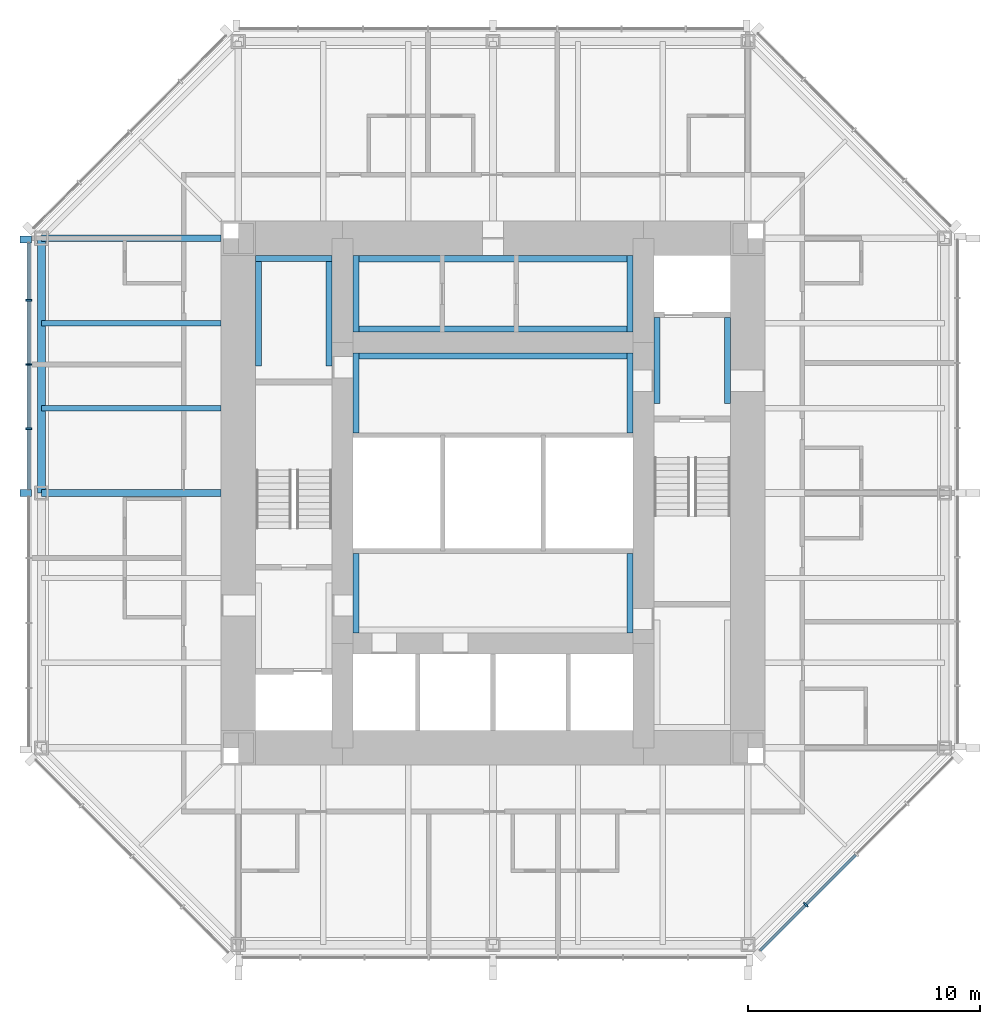
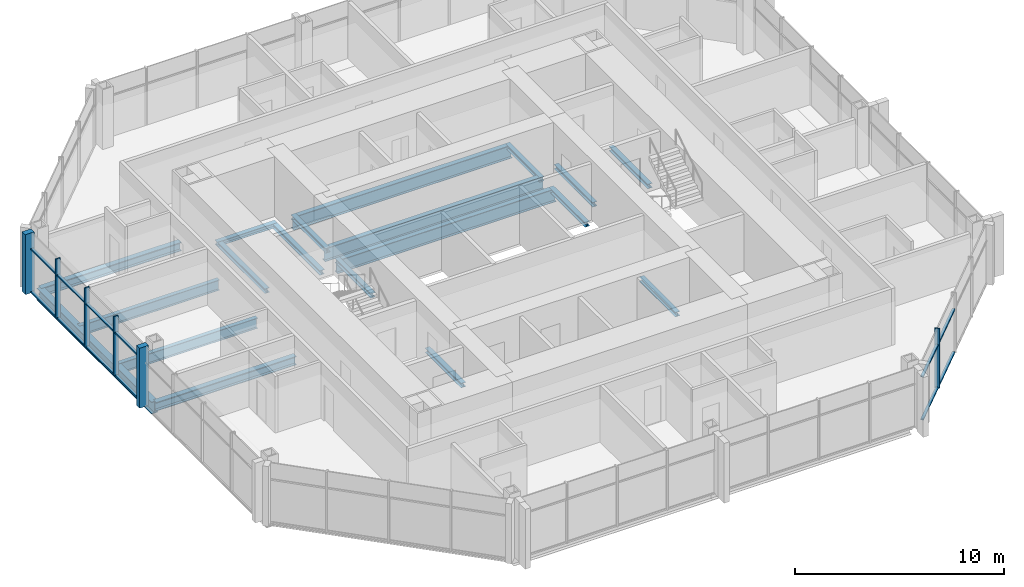
# One storey, part 3 of 11: 19 beams, 18 members, 2 elements without a shape of their own.
"""IFC4 building model written with IfcOpenShell, lengths in metres."""

from ifc_helpers import new_model, si_unit, direction, frame, origin, origin_2d, place, context, subcontext, project, spatial, rectangle, i_section, extrude, material, material_profile, profile_set, type_object, element, aggregate, save


model = new_model("IFC4")

# Units and contexts
model_context = context("Model", 3, precision=1e-05, world=origin(), true_north=direction((0.0, 1.0)))
body_context = subcontext(model_context, "Body", "Model", "MODEL_VIEW")
ifc_project = project(units=[si_unit("LENGTHUNIT", "METRE"), si_unit("AREAUNIT", "SQUARE_METRE"), si_unit("VOLUMEUNIT", "CUBIC_METRE"), si_unit("PLANEANGLEUNIT", "RADIAN"), si_unit("MASSUNIT", "GRAM", prefix="KILO")], contexts=[model_context])

# Site, building, storey
site_placement = place(None, origin())
site = spatial("IfcSite", under=ifc_project, at=site_placement, CompositionType="ELEMENT")
building_placement = place(site_placement, origin())
building = spatial("IfcBuilding", under=site, at=building_placement, Name="Trevanion Tower", CompositionType="ELEMENT")
storey_placement = place(building_placement, frame((0.0, 0.0, 215.199951171875)))
storey = spatial("IfcBuildingStorey", under=building, at=storey_placement, Name="L51", CompositionType="ELEMENT", Elevation=215.199951171875)

# Beams
ifc_material_1 = material(Name="Steel ASTM A992 Grade 50", Category="steel")
ifc_material_profile_1 = material_profile(ifc_material_1, i_section(OverallWidth=0.228271484375, OverallDepth=0.607177734375, WebThickness=0.01123046875, FlangeThickness=0.017333984375, at=origin_2d()), Name="W24X76")
ifc_profile_set_1 = profile_set([ifc_material_profile_1], Name="Steel ASTM A992 Grade 50")
beam_type_1 = type_object("IfcBeamType", Name="B11 W24X76", PredefinedType="BEAM", material=ifc_profile_set_1)
for number, where, z_axis, x_axis, name in (
    (1, (-11.75, 7.333251953125, -0.493408203125), (-1.0, 0.0, 0.0), (0.0, -1.0, 0.0), "B11 L51"),
    (2, (-11.75, 3.666748046875, -0.493408203125), (-1.0, 0.0, 0.0), (0.0, -1.0, 0.0), "B11 L51"),
):
    element("IfcBeam", number, at=place(storey_placement, frame(where, z_axis=z_axis, x_axis=x_axis)), inside=storey, type_object=beam_type_1, Name=name, PredefinedType="BEAM", context=body_context, shape_type="SweptSolid", body=[
        extrude(i_section(OverallWidth=0.228271484375, OverallDepth=0.607177734375, WebThickness=0.01123046875, FlangeThickness=0.017333984375, at=origin_2d()), origin(), (0.0, 0.0, 1.0), 7.75),
    ])

# Curtain wall, members
ifc_material_2 = material(Name="Aluminium and glass", Category="aluminium")
curtain_wall_type = type_object("IfcCurtainWallType", Name="CW3 curtain wall", PredefinedType="USERDEFINED", material=ifc_material_2)
curtain_wall_1_placement = place(storey_placement, origin())
curtain_wall_1 = element("IfcCurtainWall", 3, at=curtain_wall_1_placement, inside=storey, type_object=curtain_wall_type, Name="CW3 L51 4", ObjectType="UNITISED CURTAIN WALL", PredefinedType="USERDEFINED")
ifc_material_3 = material(Name="Aluminium extrusion, anodised bronze", Category="aluminium")
ifc_material_profile_2 = material_profile(ifc_material_3, rectangle(XDim=0.074951171875, YDim=0.25, at=origin_2d()), Name="CW3 mullion")
ifc_profile_set_2 = profile_set([ifc_material_profile_2], Name="Aluminium extrusion, anodised bronze")
member_type_1 = type_object("IfcMemberType", Name="CW3 mullion", PredefinedType="MULLION", material=ifc_profile_set_2)
member_1_placement = place(storey_placement, frame((-20.050048828125, 8.323486328125, -0.18994140625), z_axis=(0.0, 0.0, 1.0), x_axis=(0.0, -1.0, 0.0)))
member_1 = element("IfcMember", 4, at=member_1_placement, type_object=member_type_1, Name="CW3 mullion 2", PredefinedType="MULLION", context=body_context, shape_type="SweptSolid", body=[
    extrude(rectangle(XDim=0.074951171875, YDim=0.25, at=origin_2d()), origin(), (0.0, 0.0, 1.0), 3.5),
])
member_2_placement = place(storey_placement, frame((-20.050048828125, 5.548828125, -0.18994140625), z_axis=(0.0, 0.0, 1.0), x_axis=(0.0, -1.0, 0.0)))
member_2 = element("IfcMember", 5, at=member_2_placement, type_object=member_type_1, Name="CW3 mullion 3", PredefinedType="MULLION", context=body_context, shape_type="SweptSolid", body=[
    extrude(rectangle(XDim=0.074951171875, YDim=0.25, at=origin_2d()), origin(), (0.0, 0.0, 1.0), 3.5),
])
member_3_placement = place(storey_placement, frame((-20.050048828125, 2.7744140625, -0.18994140625), z_axis=(0.0, 0.0, 1.0), x_axis=(0.0, -1.0, 0.0)))
member_3 = element("IfcMember", 6, at=member_3_placement, type_object=member_type_1, Name="CW3 mullion 4", PredefinedType="MULLION", context=body_context, shape_type="SweptSolid", body=[
    extrude(rectangle(XDim=0.074951171875, YDim=0.25, at=origin_2d()), origin(), (0.0, 0.0, 1.0), 3.5),
])

# Curtain wall, member
curtain_wall_2_placement = place(storey_placement, origin())
curtain_wall_2 = element("IfcCurtainWall", 7, at=curtain_wall_2_placement, inside=storey, type_object=curtain_wall_type, Name="CW3 L51 7", ObjectType="UNITISED CURTAIN WALL", PredefinedType="USERDEFINED")
member_4_placement = place(storey_placement, frame((13.502197265625, -17.775390625, -0.18994140625), z_axis=(0.0, 0.0, 1.0), x_axis=(0.707106781187, 0.707106781187, 0.0)))
member_4 = element("IfcMember", 8, at=member_4_placement, type_object=member_type_1, Name="CW3 mullion 2", PredefinedType="MULLION", context=body_context, shape_type="SweptSolid", body=[
    extrude(rectangle(XDim=0.074951171875, YDim=0.25, at=origin_2d()), origin(), (0.0, 0.0, 1.0), 3.5),
])

# Member
ifc_material_4 = material(Name="Aluminium extrusion, anodised bronze", Category="aluminium")
ifc_material_profile_3 = material_profile(ifc_material_4, rectangle(XDim=0.300048828125, YDim=0.5, at=origin_2d()), Name="CW3 pier mullion")
ifc_profile_set_3 = profile_set([ifc_material_profile_3], Name="Aluminium extrusion, anodised bronze")
member_type_2 = type_object("IfcMemberType", Name="CW3 pier mullion", PredefinedType="MULLION", material=ifc_profile_set_3)
member_5_placement = place(storey_placement, frame((-20.175048828125, 10.94775390625, -0.18994140625), z_axis=(0.0, 0.0, 1.0), x_axis=(0.0, -1.0, 0.0)))
member_5 = element("IfcMember", 9, at=member_5_placement, type_object=member_type_2, Name="CW3 pier mullion 1", PredefinedType="MULLION", context=body_context, shape_type="SweptSolid", body=[
    extrude(rectangle(XDim=0.300048828125, YDim=0.5, at=origin_2d()), origin(), (0.0, 0.0, 1.0), 3.5),
])

member_6_placement = place(storey_placement, frame((-20.175048828125, 0.0, -0.18994140625), z_axis=(0.0, 0.0, 1.0), x_axis=(0.0, -1.0, 0.0)))
member_6 = element("IfcMember", 10, at=member_6_placement, type_object=member_type_2, Name="CW3 pier mullion 5", PredefinedType="MULLION", context=body_context, shape_type="SweptSolid", body=[
    extrude(rectangle(XDim=0.300048828125, YDim=0.5, at=origin_2d()), origin(), (0.0, 0.0, 1.0), 3.5),
])

ifc_material_5 = material(Name="Aluminium extrusion, anodised bronze", Category="aluminium")
ifc_material_profile_4 = material_profile(ifc_material_5, rectangle(XDim=0.14990234375, YDim=0.074951171875, at=origin_2d()), Name="CW3 transom")
ifc_profile_set_4 = profile_set([ifc_material_profile_4], Name="Aluminium extrusion, anodised bronze")
member_type_3 = type_object("IfcMemberType", Name="CW3 transom", PredefinedType="USERDEFINED", material=ifc_profile_set_4)
member_7_placement = place(storey_placement, frame((-20.050048828125, 10.7978515625, -0.15234375), z_axis=(0.0, -1.0, 0.0), x_axis=(1.0, 0.0, 0.0)))
member_7 = element("IfcMember", 11, at=member_7_placement, type_object=member_type_3, Name="CW3 transom 1.1", ObjectType="TRANSOM", PredefinedType="USERDEFINED", context=body_context, shape_type="SweptSolid", body=[
    extrude(rectangle(XDim=0.14990234375, YDim=0.074951171875, at=origin_2d()), origin(), (0.0, 0.0, 1.0), 2.43701171875),
])

member_8_placement = place(storey_placement, frame((-20.050048828125, 10.7978515625, 2.360107421875), z_axis=(0.0, -1.0, 0.0), x_axis=(1.0, 0.0, 0.0)))
member_8 = element("IfcMember", 12, at=member_8_placement, type_object=member_type_3, Name="CW3 transom 1.2", ObjectType="TRANSOM", PredefinedType="USERDEFINED", context=body_context, shape_type="SweptSolid", body=[
    extrude(rectangle(XDim=0.14990234375, YDim=0.074951171875, at=origin_2d()), origin(), (0.0, 0.0, 1.0), 2.43701171875),
])

member_9_placement = place(storey_placement, frame((-20.050048828125, 8.285888671875, -0.15234375), z_axis=(0.0, -1.0, 0.0), x_axis=(1.0, 0.0, 0.0)))
member_9 = element("IfcMember", 13, at=member_9_placement, type_object=member_type_3, Name="CW3 transom 2.1", ObjectType="TRANSOM", PredefinedType="USERDEFINED", context=body_context, shape_type="SweptSolid", body=[
    extrude(rectangle(XDim=0.14990234375, YDim=0.074951171875, at=origin_2d()), origin(), (0.0, 0.0, 1.0), 2.699462890625),
])

member_10_placement = place(storey_placement, frame((-20.050048828125, 8.285888671875, 2.360107421875), z_axis=(0.0, -1.0, 0.0), x_axis=(1.0, 0.0, 0.0)))
member_10 = element("IfcMember", 14, at=member_10_placement, type_object=member_type_3, Name="CW3 transom 2.2", ObjectType="TRANSOM", PredefinedType="USERDEFINED", context=body_context, shape_type="SweptSolid", body=[
    extrude(rectangle(XDim=0.14990234375, YDim=0.074951171875, at=origin_2d()), origin(), (0.0, 0.0, 1.0), 2.699462890625),
])

member_11_placement = place(storey_placement, frame((-20.050048828125, 5.511474609375, -0.15234375), z_axis=(0.0, -1.0, 0.0), x_axis=(1.0, 0.0, 0.0)))
member_11 = element("IfcMember", 15, at=member_11_placement, type_object=member_type_3, Name="CW3 transom 3.1", ObjectType="TRANSOM", PredefinedType="USERDEFINED", context=body_context, shape_type="SweptSolid", body=[
    extrude(rectangle(XDim=0.14990234375, YDim=0.074951171875, at=origin_2d()), origin(), (0.0, 0.0, 1.0), 2.699462890625),
])

member_12_placement = place(storey_placement, frame((-20.050048828125, 5.511474609375, 2.360107421875), z_axis=(0.0, -1.0, 0.0), x_axis=(1.0, 0.0, 0.0)))
member_12 = element("IfcMember", 16, at=member_12_placement, type_object=member_type_3, Name="CW3 transom 3.2", ObjectType="TRANSOM", PredefinedType="USERDEFINED", context=body_context, shape_type="SweptSolid", body=[
    extrude(rectangle(XDim=0.14990234375, YDim=0.074951171875, at=origin_2d()), origin(), (0.0, 0.0, 1.0), 2.699462890625),
])

member_13_placement = place(storey_placement, frame((-20.050048828125, 2.737060546875, -0.15234375), z_axis=(0.0, -1.0, 0.0), x_axis=(1.0, 0.0, 0.0)))
member_13 = element("IfcMember", 17, at=member_13_placement, type_object=member_type_3, Name="CW3 transom 4.1", ObjectType="TRANSOM", PredefinedType="USERDEFINED", context=body_context, shape_type="SweptSolid", body=[
    extrude(rectangle(XDim=0.14990234375, YDim=0.074951171875, at=origin_2d()), origin(), (0.0, 0.0, 1.0), 2.587158203125),
])

member_14_placement = place(storey_placement, frame((-20.050048828125, 2.737060546875, 2.360107421875), z_axis=(0.0, -1.0, 0.0), x_axis=(1.0, 0.0, 0.0)))
member_14 = element("IfcMember", 18, at=member_14_placement, type_object=member_type_3, Name="CW3 transom 4.2", ObjectType="TRANSOM", PredefinedType="USERDEFINED", context=body_context, shape_type="SweptSolid", body=[
    extrude(rectangle(XDim=0.14990234375, YDim=0.074951171875, at=origin_2d()), origin(), (0.0, 0.0, 1.0), 2.587158203125),
])

aggregate(curtain_wall_1, [member_5, member_1, member_2, member_3, member_6, member_7, member_8, member_9, member_10, member_11, member_12, member_13, member_14])

member_15_placement = place(storey_placement, frame((11.531982421875, -19.745849609375, -0.15234375), z_axis=(0.707106781187, 0.707106781187, 0.0), x_axis=(-0.707106781187, 0.707106781187, 0.0)))
member_15 = element("IfcMember", 19, at=member_15_placement, type_object=member_type_3, Name="CW3 transom 1.1", ObjectType="TRANSOM", PredefinedType="USERDEFINED", context=body_context, shape_type="SweptSolid", body=[
    extrude(rectangle(XDim=0.14990234375, YDim=0.074951171875, at=origin_2d()), origin(), (0.0, 0.0, 1.0), 2.7490234375),
])

member_16_placement = place(storey_placement, frame((11.531982421875, -19.745849609375, 2.360107421875), z_axis=(0.707106781187, 0.707106781187, 0.0), x_axis=(-0.707106781187, 0.707106781187, 0.0)))
member_16 = element("IfcMember", 20, at=member_16_placement, type_object=member_type_3, Name="CW3 transom 1.2", ObjectType="TRANSOM", PredefinedType="USERDEFINED", context=body_context, shape_type="SweptSolid", body=[
    extrude(rectangle(XDim=0.14990234375, YDim=0.074951171875, at=origin_2d()), origin(), (0.0, 0.0, 1.0), 2.7490234375),
])

member_17_placement = place(storey_placement, frame((13.52880859375, -17.7490234375, -0.15234375), z_axis=(0.707106781187, 0.707106781187, 0.0), x_axis=(-0.707106781187, 0.707106781187, 0.0)))
member_17 = element("IfcMember", 21, at=member_17_placement, type_object=member_type_3, Name="CW3 transom 2.1", ObjectType="TRANSOM", PredefinedType="USERDEFINED", context=body_context, shape_type="SweptSolid", body=[
    extrude(rectangle(XDim=0.14990234375, YDim=0.074951171875, at=origin_2d()), origin(), (0.0, 0.0, 1.0), 3.01171875),
])

member_18_placement = place(storey_placement, frame((13.52880859375, -17.7490234375, 2.360107421875), z_axis=(0.707106781187, 0.707106781187, 0.0), x_axis=(-0.707106781187, 0.707106781187, 0.0)))
member_18 = element("IfcMember", 22, at=member_18_placement, type_object=member_type_3, Name="CW3 transom 2.2", ObjectType="TRANSOM", PredefinedType="USERDEFINED", context=body_context, shape_type="SweptSolid", body=[
    extrude(rectangle(XDim=0.14990234375, YDim=0.074951171875, at=origin_2d()), origin(), (0.0, 0.0, 1.0), 3.01171875),
])

aggregate(curtain_wall_2, [member_4, member_15, member_16, member_17, member_18])

# Beams
ifc_material_6 = material(Name="Steel ASTM A992 Grade 50", Category="steel")
ifc_material_profile_5 = material_profile(ifc_material_6, i_section(OverallWidth=0.28955078125, OverallDepth=0.508056640625, WebThickness=0.022705078125, FlangeThickness=0.040283203125, at=origin_2d()), Name="W18X175")
ifc_profile_set_5 = profile_set([ifc_material_profile_5], Name="Steel ASTM A992 Grade 50")
beam_type_2 = type_object("IfcBeamType", Name="G6 W18X175", PredefinedType="BEAM", material=ifc_profile_set_5)
for number, where, z_axis, x_axis, name in (
    (23, (-11.75, 11.0, -0.44384765625), (-1.0, 0.0, 0.0), (0.0, -1.0, 0.0), "G6 L51"),
    (24, (-11.75, 0.0, -0.44384765625), (-1.0, 0.0, 0.0), (0.0, -1.0, 0.0), "G6 L51"),
):
    element("IfcBeam", number, at=place(storey_placement, frame(where, z_axis=z_axis, x_axis=x_axis)), inside=storey, type_object=beam_type_2, Name=name, PredefinedType="BEAM", context=body_context, shape_type="SweptSolid", body=[
        extrude(i_section(OverallWidth=0.28955078125, OverallDepth=0.508056640625, WebThickness=0.022705078125, FlangeThickness=0.040283203125, at=origin_2d()), origin(), (0.0, 0.0, 1.0), 7.75),
    ])
ifc_material_7 = material(Name="Steel ASTM A992 Grade 50", Category="steel")
ifc_material_profile_6 = material_profile(ifc_material_7, i_section(OverallWidth=0.256591796875, OverallDepth=0.26416015625, WebThickness=0.011962890625, FlangeThickness=0.01953125, at=origin_2d()), Name="W10X68")
ifc_profile_set_6 = profile_set([ifc_material_profile_6], Name="Steel ASTM A992 Grade 50")
beam_type_3 = type_object("IfcBeamType", Name="LB1 W10X68", PredefinedType="BEAM", material=ifc_profile_set_6)
for number, where, z_axis, x_axis, name in (
    (25, (-5.921630859375, 2.60009765625, -0.33203125), (0.0, 1.0, 0.0), (-1.0, 0.0, 0.0), "LB1 L51"),
    (26, (5.921630859375, 2.60009765625, -0.33203125), (0.0, 1.0, 0.0), (-1.0, 0.0, 0.0), "LB1 L51"),
    (27, (-5.921630859375, -6.050048828125, -0.33203125), (0.0, 1.0, 0.0), (-1.0, 0.0, 0.0), "LB1 L51"),
    (28, (5.921630859375, -6.050048828125, -0.33203125), (0.0, 1.0, 0.0), (-1.0, 0.0, 0.0), "LB1 L51"),
):
    element("IfcBeam", number, at=place(storey_placement, frame(where, z_axis=z_axis, x_axis=x_axis)), inside=storey, type_object=beam_type_3, Name=name, PredefinedType="BEAM", context=body_context, shape_type="SweptSolid", body=[
        extrude(i_section(OverallWidth=0.256591796875, OverallDepth=0.26416015625, WebThickness=0.011962890625, FlangeThickness=0.01953125, at=origin_2d()), origin(), (0.0, 0.0, 1.0), 3.449951171875),
    ])
for number, where, z_axis, x_axis, name in (
    (29, (7.078369140625, 3.875, -0.33203125), (0.0, 1.0, 0.0), (-1.0, 0.0, 0.0), "LB1 L51"),
    (30, (10.12158203125, 3.875, -0.33203125), (0.0, 1.0, 0.0), (-1.0, 0.0, 0.0), "LB1 L51"),
):
    element("IfcBeam", number, at=place(storey_placement, frame(where, z_axis=z_axis, x_axis=x_axis)), inside=storey, type_object=beam_type_3, Name=name, PredefinedType="BEAM", context=body_context, shape_type="SweptSolid", body=[
        extrude(i_section(OverallWidth=0.256591796875, OverallDepth=0.26416015625, WebThickness=0.011962890625, FlangeThickness=0.01953125, at=origin_2d()), origin(), (0.0, 0.0, 1.0), 3.699951171875),
    ])
for number, where, z_axis, x_axis, name in (
    (31, (-10.12158203125, 5.47509765625, -0.33203125), (0.0, 1.0, 0.0), (-1.0, 0.0, 0.0), "LB1 L51"),
    (32, (-7.078369140625, 5.47509765625, -0.33203125), (0.0, 1.0, 0.0), (-1.0, 0.0, 0.0), "LB1 L51"),
):
    element("IfcBeam", number, at=place(storey_placement, frame(where, z_axis=z_axis, x_axis=x_axis)), inside=storey, type_object=beam_type_3, Name=name, PredefinedType="BEAM", context=body_context, shape_type="SweptSolid", body=[
        extrude(i_section(OverallWidth=0.256591796875, OverallDepth=0.26416015625, WebThickness=0.011962890625, FlangeThickness=0.01953125, at=origin_2d()), origin(), (0.0, 0.0, 1.0), 4.77490234375),
    ])
for number, where, z_axis, x_axis, name in (
    (33, (-10.25, 10.12158203125, -0.33203125), (1.0, 0.0, 0.0), (0.0, 1.0, 0.0), "LB1 L51"),
    (34, (-5.921630859375, 6.949951171875, -0.33203125), (0.0, 1.0, 0.0), (-1.0, 0.0, 0.0), "LB1 L51"),
    (35, (5.921630859375, 6.949951171875, -0.33203125), (0.0, 1.0, 0.0), (-1.0, 0.0, 0.0), "LB1 L51"),
):
    element("IfcBeam", number, at=place(storey_placement, frame(where, z_axis=z_axis, x_axis=x_axis)), inside=storey, type_object=beam_type_3, Name=name, PredefinedType="BEAM", context=body_context, shape_type="SweptSolid", body=[
        extrude(i_section(OverallWidth=0.256591796875, OverallDepth=0.26416015625, WebThickness=0.011962890625, FlangeThickness=0.01953125, at=origin_2d()), origin(), (0.0, 0.0, 1.0), 3.300048828125),
    ])
ifc_material_8 = material(Name="Steel ASTM A992 Grade 50", Category="steel")
ifc_material_profile_7 = material_profile(ifc_material_8, i_section(OverallWidth=0.2666015625, OverallDepth=0.76953125, WebThickness=0.015625, FlangeThickness=0.025390625, at=origin_2d()), Name="W30X132")
ifc_profile_set_7 = profile_set([ifc_material_profile_7], Name="Steel ASTM A992 Grade 50")
beam_type_4 = type_object("IfcBeamType", Name="LB3 W30X132", PredefinedType="BEAM", material=ifc_profile_set_7)
for number, where, z_axis, x_axis, name in (
    (36, (-6.050048828125, 5.91650390625, -0.584716796875), (1.0, 0.0, 0.0), (0.0, 1.0, 0.0), "LB3 L51"),
    (37, (-6.050048828125, 7.08349609375, -0.584716796875), (1.0, 0.0, 0.0), (0.0, 1.0, 0.0), "LB3 L51"),
    (38, (-6.050048828125, 10.11669921875, -0.584716796875), (1.0, 0.0, 0.0), (0.0, 1.0, 0.0), "LB3 L51"),
):
    element("IfcBeam", number, at=place(storey_placement, frame(where, z_axis=z_axis, x_axis=x_axis)), inside=storey, type_object=beam_type_4, Name=name, PredefinedType="BEAM", context=body_context, shape_type="SweptSolid", body=[
        extrude(i_section(OverallWidth=0.2666015625, OverallDepth=0.76953125, WebThickness=0.015625, FlangeThickness=0.025390625, at=origin_2d()), origin(), (0.0, 0.0, 1.0), 12.10009765625),
    ])
ifc_material_9 = material(Name="Steel ASTM A992 Grade 50", Category="steel")
ifc_material_profile_8 = material_profile(ifc_material_9, i_section(OverallWidth=0.355712890625, OverallDepth=0.696044921875, WebThickness=0.015380859375, FlangeThickness=0.024658203125, at=origin_2d()), Name="W27X146")
ifc_profile_set_8 = profile_set([ifc_material_profile_8], Name="Steel ASTM A992 Grade 50")
beam_type_5 = type_object("IfcBeamType", Name="SB8 W27X146", PredefinedType="SPANDREL", material=ifc_profile_set_8)
beam_placement = place(storey_placement, frame((-19.5, 11.0, -0.537841796875), z_axis=(0.0, -1.0, 0.0), x_axis=(1.0, 0.0, 0.0)))
element("IfcBeam", 39, at=beam_placement, inside=storey, type_object=beam_type_5, Name="SB8 L51", PredefinedType="SPANDREL", context=body_context, shape_type="SweptSolid", body=[
    extrude(i_section(OverallWidth=0.355712890625, OverallDepth=0.696044921875, WebThickness=0.015380859375, FlangeThickness=0.024658203125, at=origin_2d()), origin(), (0.0, 0.0, 1.0), 11.0),
])

save(model, "model.ifc")
